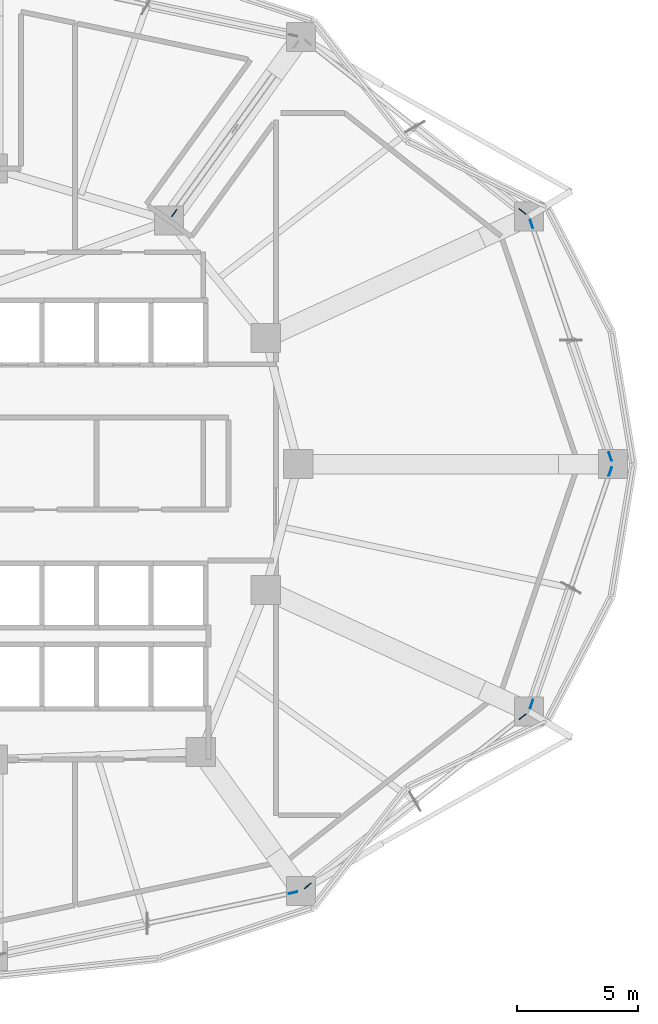
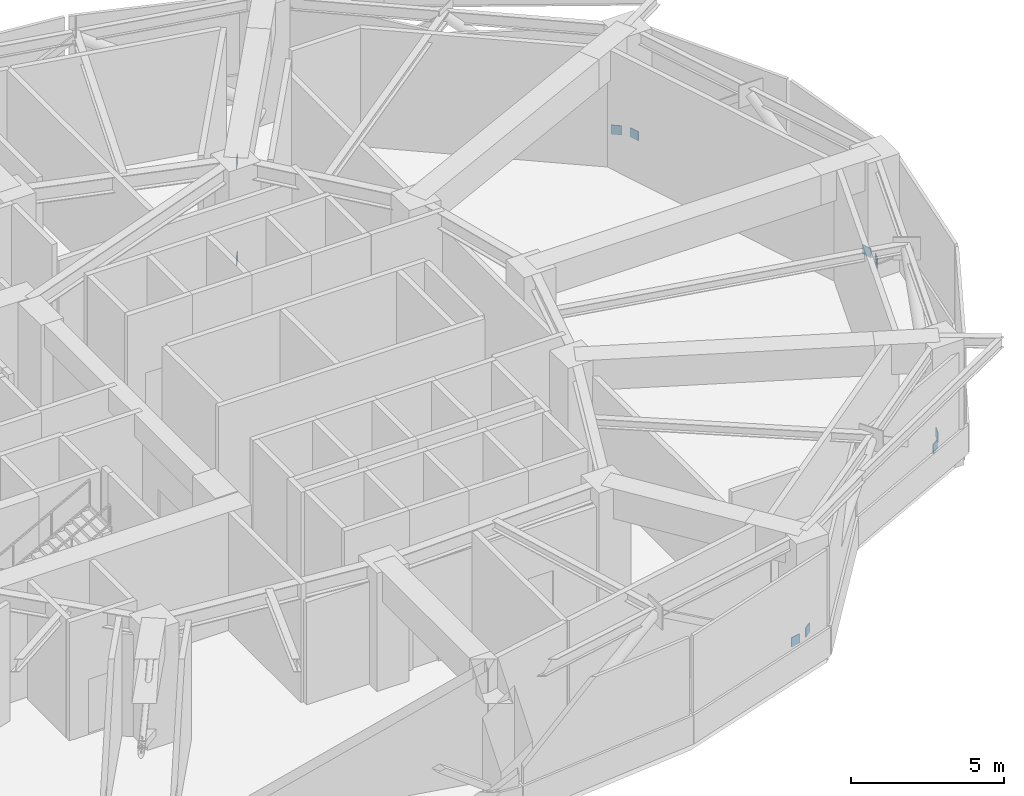
# One storey, part 5 of 12: 10 plates.
"""IFC4 building model written with IfcOpenShell, lengths in metres."""

from ifc_helpers import new_model, si_unit, direction, frame, origin, origin_2d, place, context, subcontext, project, spatial, rectangle, extrude, material, layer, layer_set, type_object, element, save


model = new_model("IFC4")

# Units and contexts
model_context = context("Model", 3, precision=1e-05, world=origin(), true_north=direction((0.0, 1.0)))
body_context = subcontext(model_context, "Body", "Model", "MODEL_VIEW")
ifc_project = project(units=[si_unit("LENGTHUNIT", "METRE"), si_unit("AREAUNIT", "SQUARE_METRE"), si_unit("VOLUMEUNIT", "CUBIC_METRE"), si_unit("PLANEANGLEUNIT", "RADIAN"), si_unit("MASSUNIT", "GRAM", prefix="KILO")], contexts=[model_context])

# Site, building, storey
site_placement = place(None, origin())
site = spatial("IfcSite", under=ifc_project, at=site_placement, CompositionType="ELEMENT")
building_placement = place(site_placement, origin())
building = spatial("IfcBuilding", under=site, at=building_placement, Name="Kolvaren Gate Tower and Convention Centre", CompositionType="ELEMENT")
storey_placement = place(building_placement, frame((0.0, 0.0, 95.800048828125)))
storey = spatial("IfcBuildingStorey", under=building, at=storey_placement, Name="L23", CompositionType="ELEMENT", Elevation=95.800048828125)

# Plates
ifc_material = material(Name="Structural steel plate ASTM A572 Grade 345 MPa", Category="steel")
ifc_layer = layer(ifc_material, 0.035888671875)
ifc_layer_set = layer_set([ifc_layer], Name="Structural steel plate ASTM A572 Grade 345 MPa")
plate_type = type_object("IfcPlateType", Name="STR-PL-END-36", PredefinedType="USERDEFINED", material=ifc_layer_set)
for number, where, z_axis, x_axis, name in (
    (1, (55.6064453125, 27.31298828125, 0.3291015625), (0.0, 0.0, 1.0), (-0.321027911453, 0.947069733477, 0.0), "Structural Brace End Connection Gusset Plate EGP-209"),
    (2, (52.354736328125, 36.90576171875, 0.3291015625), (0.0, 0.0, 1.0), (0.321011381919, -0.947075336327, 0.0), "Structural Brace End Connection Gusset Plate EGP-210"),
    (3, (51.9794921875, 37.430908203125, 0.3125), (0.0, 0.0, 1.0), (-0.785473581534, 0.618895187178, 0.0), "Structural Brace End Connection Gusset Plate EGP-211"),
    (4, (42.501953125, 9.300537109375, 0.29931640625), (0.0, 0.0, 1.0), (-0.978633330067, -0.205613241991, 0.0), "Structural Brace End Connection Gusset Plate EGP-228"),
    (5, (43.11572265625, 9.585205078125, 0.3125), (0.0, 0.0, 1.0), (0.785473581534, 0.618895187178, 0.0), "Structural Brace End Connection Gusset Plate EGP-229"),
    (6, (51.9794921875, 16.569091796875, 0.3125), (0.0, 0.0, 1.0), (-0.78546494005, -0.618906154398, 0.0), "Structural Brace End Connection Gusset Plate EGP-230"),
    (7, (52.354736328125, 17.09423828125, 0.3291015625), (0.0, 0.0, 1.0), (0.321011381919, 0.947075336327, 0.0), "Structural Brace End Connection Gusset Plate EGP-231"),
    (8, (55.6064453125, 26.68701171875, 0.3291015625), (0.0, 0.0, 1.0), (-0.321027911453, -0.947069733477, 0.0), "Structural Brace End Connection Gusset Plate EGP-232"),
    (9, (37.605224609375, 37.365234375, 0.2431640625), (0.0, 0.0, 1.0), (0.585220940814, 0.81087388072, 0.0), "Structural Brace End Connection Gusset Plate EGP-243"),
    (10, (37.605224609375, 37.365234375, 4.1318359375), (0.0, 0.0, 1.0), (-0.585232262692, -0.810865709415, 0.0), "Structural Brace End Connection Gusset Plate EGP-246"),
):
    element("IfcPlate", number, at=place(storey_placement, frame(where, z_axis=z_axis, x_axis=x_axis)), inside=storey, type_object=plate_type, Name=name, ObjectType="GUSSET PLATE", PredefinedType="USERDEFINED", context=body_context, shape_type="SweptSolid", body=[
        extrude(rectangle(XDim=0.360107421875, YDim=0.035888671875, at=origin_2d()), origin(), (0.0, 0.0, 1.0), 0.360107421875),
    ])

save(model, "model.ifc")
